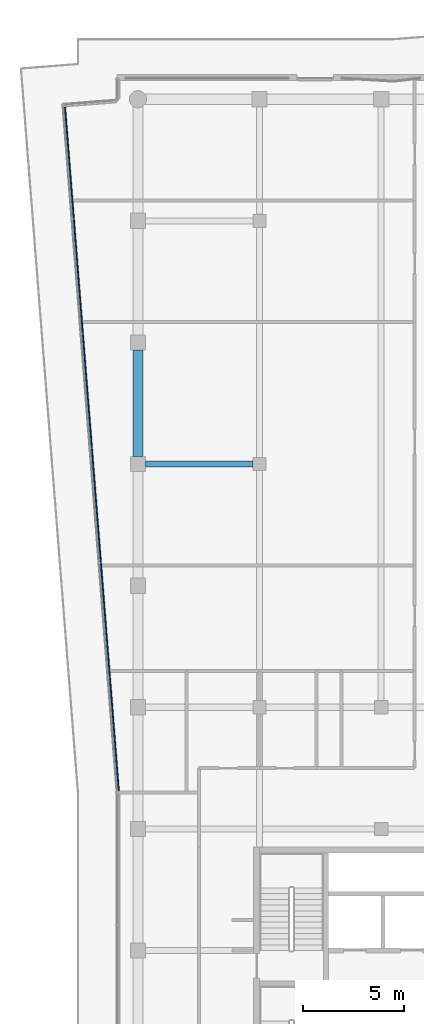
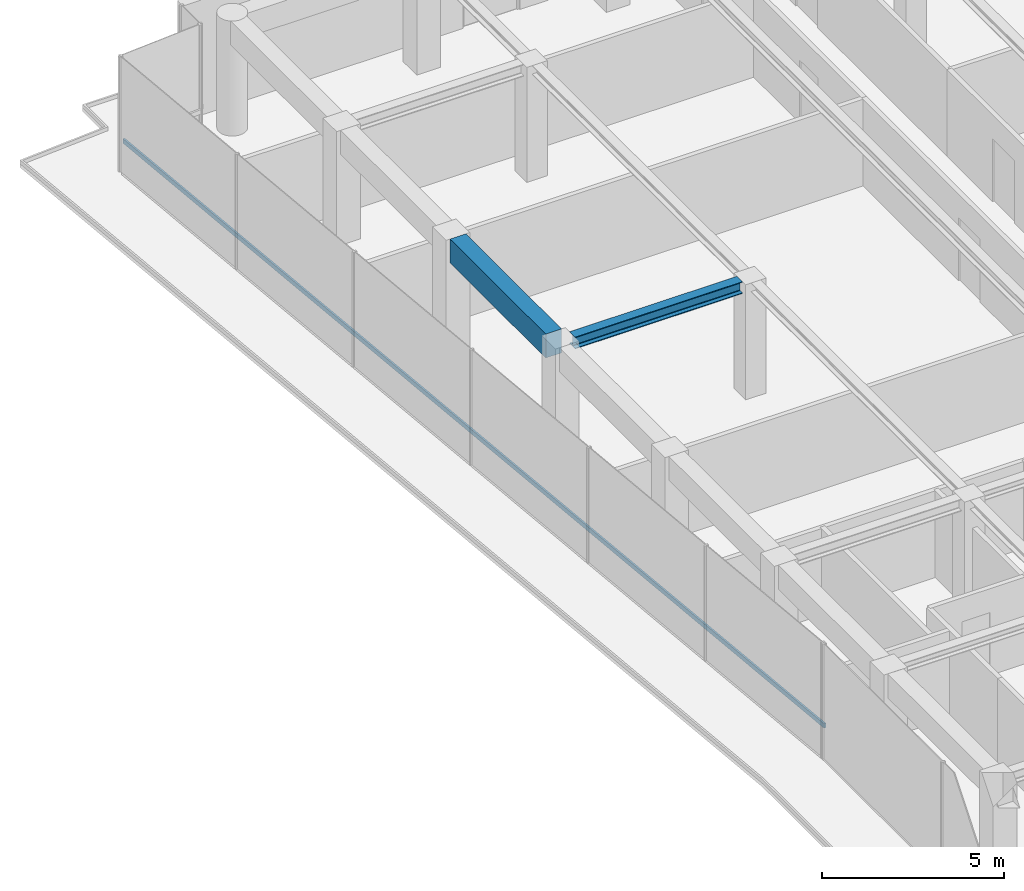
# One storey, part 10 of 23: 2 beams, 1 member, 1 element without a shape of its own.
"""IFC4 building model written with IfcOpenShell, lengths in metres."""

import ifcopenshell
import ifcopenshell.guid

model = None  # the IFC model being written
_history = None  # IfcOwnerHistory: only IFC2X3 demands one
_inside = {}  # id of a spatial element -> (the spatial element, [elements in it])
_under = {}  # id of a project, library or spatial element -> (it, [spatial elements below it])
_declared = {}  # id of a project -> (the project, [libraries it declares])
_typed = {}  # id of a type object -> (the type object, [elements of that type])
_made_of = {}  # id of a material, layer set ... -> (it, [elements and type objects made of it])


def new_model(schema):
    """Start an empty IFC model of exactly this schema.

    Asked for "IFC4X3", IfcOpenShell would pick the latest addendum, in which some entities
    have other attributes; the version numbers below select the first issue.
    IFC2X3 requires an IfcOwnerHistory on every rooted entity: one is made here for all.
    """
    global model, _history
    if schema == "IFC4X3":
        model = ifcopenshell.file(schema_version=(4, 3, 0, 0))
    else:
        model = ifcopenshell.file(schema=schema)
    _inside.clear()
    _under.clear()
    _declared.clear()
    _typed.clear()
    _made_of.clear()
    _history = None
    if model.schema == "IFC2X3":
        org = make("IfcOrganization", Name="unknown")
        user = make(
            "IfcPersonAndOrganization",
            ThePerson=make("IfcPerson", FamilyName="unknown"),
            TheOrganization=org,
        )
        app = make(
            "IfcApplication",
            ApplicationDeveloper=org,
            Version="unknown",
            ApplicationFullName="unknown",
            ApplicationIdentifier="unknown",
        )
        _history = make(
            "IfcOwnerHistory",
            OwningUser=user,
            OwningApplication=app,
            ChangeAction="ADDED",
            CreationDate=0,
        )
    return model


def make(cls, **values):
    """One entity of the class cls with the attributes given. An attribute that is None is left unset."""
    return model.create_entity(
        cls, **{name: value for name, value in values.items() if value is not None}
    )


def rooted(cls, **values):
    """An entity with a GlobalId (a new one), such as an element, a storey or a relation."""
    return make(cls, GlobalId=ifcopenshell.guid.new(), OwnerHistory=_history, **values)


def si_unit(unit_type, name, prefix=None):
    """IfcSIUnit, for example si_unit("LENGTHUNIT", "METRE", prefix="MILLI")."""
    return make("IfcSIUnit", UnitType=unit_type, Prefix=prefix, Name=name)


def assignment(units):
    """IfcUnitAssignment: the units of a project."""
    return None if units is None else make("IfcUnitAssignment", Units=units)


def point(xyz):
    """IfcCartesianPoint."""
    return None if xyz is None else make("IfcCartesianPoint", Coordinates=xyz)


def direction(xyz):
    """IfcDirection."""
    return None if xyz is None else make("IfcDirection", DirectionRatios=xyz)


def frame(location, z_axis=None, x_axis=None):
    """IfcAxis2Placement3D, a coordinate frame: its origin and axes. An axis left out is left unset."""
    return make(
        "IfcAxis2Placement3D",
        Location=point(location),
        Axis=direction(z_axis),
        RefDirection=direction(x_axis),
    )


def frame_2d(location, x_axis=None):
    """IfcAxis2Placement2D, a coordinate frame in the plane: its origin and x axis."""
    return make(
        "IfcAxis2Placement2D", Location=point(location), RefDirection=direction(x_axis)
    )


def origin():
    """The frame at (0, 0, 0) with its axes left unset."""
    return frame((0.0, 0.0, 0.0))


def origin_2d():
    """The frame at (0, 0) in the plane with its x axis left unset."""
    return frame_2d((0.0, 0.0))


def place(relative_to, where):
    """IfcLocalPlacement: puts the frame where relative to a parent placement (None: the world)."""
    return make(
        "IfcLocalPlacement", PlacementRelTo=relative_to, RelativePlacement=where
    )


def context(
    kind, dimensions, precision=None, world=None, true_north=None, identifier=None
):
    """IfcGeometricRepresentationContext, for example the 3D "Model" context."""
    return make(
        "IfcGeometricRepresentationContext",
        ContextIdentifier=identifier,
        ContextType=kind,
        CoordinateSpaceDimension=dimensions,
        Precision=precision,
        WorldCoordinateSystem=world,
        TrueNorth=true_north,
    )


def subcontext(parent, identifier, kind, view, scale=None):
    """IfcGeometricRepresentationSubContext, for example "Body" below "Model"."""
    return make(
        "IfcGeometricRepresentationSubContext",
        ContextIdentifier=identifier,
        ContextType=kind,
        ParentContext=parent,
        TargetScale=scale,
        TargetView=view,
    )


def project(units=None, contexts=None):
    """IfcProject with its units and contexts."""
    return rooted(
        "IfcProject",
        Name="project",
        RepresentationContexts=contexts,
        UnitsInContext=assignment(units),
    )


def spatial(cls, under=None, at=None, **own):
    """A site, building, storey or space (cls), placed at a placement, below another one or the project."""
    s = rooted(cls, ObjectPlacement=at, **own)
    if under is not None:
        _under.setdefault(under.id(), (under, []))[1].append(s)
    return s


def profile(cls, at=None, kind="AREA", **sizes):
    """A parametric profile (cls). Its sizes go by their IFC names, for example OverallWidth=200.0."""
    return make(cls, ProfileType=kind, Position=at, **sizes)


def rectangle(**sizes):
    """IfcRectangleProfileDef."""
    return profile("IfcRectangleProfileDef", **sizes)


def i_section(**sizes):
    """IfcIShapeProfileDef."""
    return profile("IfcIShapeProfileDef", **sizes)


def extrude(swept, where, along, depth):
    """IfcExtrudedAreaSolid: the profile swept, set in the frame where, extruded along a direction by depth."""
    return make(
        "IfcExtrudedAreaSolid",
        SweptArea=swept,
        Position=where,
        ExtrudedDirection=direction(along),
        Depth=depth,
    )


def shape(context_of_items, identifier, shape_type, items):
    """IfcShapeRepresentation: the items that make up one representation, for example the "Body"."""
    return make(
        "IfcShapeRepresentation",
        ContextOfItems=context_of_items,
        RepresentationIdentifier=identifier,
        RepresentationType=shape_type,
        Items=items,
    )


def material(Name=None, Category=None):
    """IfcMaterial."""
    return make("IfcMaterial", Name=Name, Category=Category)


def layer(
    of_material, thickness, ventilated=None, Name=None, Category=None, Priority=None
):
    """IfcMaterialLayer: one layer of a wall or slab, of a material (None: an air gap)."""
    return make(
        "IfcMaterialLayer",
        Material=of_material,
        LayerThickness=thickness,
        IsVentilated=ventilated,
        Name=Name,
        Category=Category,
        Priority=Priority,
    )


def layer_set(layers, Name=None):
    """IfcMaterialLayerSet."""
    return make("IfcMaterialLayerSet", MaterialLayers=layers, LayerSetName=Name)


def material_profile(
    of_material, cross_section, Name=None, Category=None, Priority=None
):
    """IfcMaterialProfile: a cross section and its material."""
    return make(
        "IfcMaterialProfile",
        Name=Name,
        Material=of_material,
        Profile=cross_section,
        Priority=Priority,
        Category=Category,
    )


def profile_set(profiles, Name=None, composite=None):
    """IfcMaterialProfileSet."""
    return make(
        "IfcMaterialProfileSet",
        Name=Name,
        MaterialProfiles=profiles,
        CompositeProfile=composite,
    )


def made_of(thing, what):
    """Note that an element or type object is made of a material, layer set ...; save() writes the relation."""
    if what is not None:
        _made_of.setdefault(what.id(), (what, []))[1].append(thing)
    return thing


def type_object(cls, material=None, **own):
    """A type object (cls), such as IfcWallType, which elements share."""
    return made_of(rooted(cls, **own), material)


def element(
    cls,
    number,
    at=None,
    inside=None,
    cuts=None,
    type_object=None,
    material=None,
    context=None,
    identifier="Body",
    shape_type=None,
    held_by="IfcProductDefinitionShape",
    body=None,
    shapes=None,
    **own,
):
    """One element of the class cls, such as IfcWall. Its Tag is "e" and its number.

    at: its placement. inside: the storey or other place that contains it. cuts: it is an
    opening in that element (IfcRelVoidsElement). A single representation is given by context,
    identifier, shape_type and body (its items); several are given by shapes. held_by: the class
    of the entity that holds the representations. save() writes the other relations.
    """
    e = rooted(cls, Tag="e%d" % number, ObjectPlacement=at, **own)
    if body is not None:
        shapes = [shape(context, identifier, shape_type, body)]
    if shapes is not None:
        e.Representation = make(held_by, Representations=shapes)
    if inside is not None:
        _inside.setdefault(inside.id(), (inside, []))[1].append(e)
    if cuts is not None:
        rooted(
            "IfcRelVoidsElement", RelatingBuildingElement=cuts, RelatedOpeningElement=e
        )
    if type_object is not None:
        _typed.setdefault(type_object.id(), (type_object, []))[1].append(e)
    return made_of(e, material)


def aggregate(whole, parts):
    """IfcRelAggregates: a whole, such as a stair, and the parts it consists of."""
    return rooted("IfcRelAggregates", RelatingObject=whole, RelatedObjects=parts)


def save(model, path):
    """Write the relations noted so far, then the file.

    IfcRelAggregates (storeys below a building ...), IfcRelContainedInSpatialStructure (elements
    in a storey), IfcRelDefinesByType, IfcRelAssociatesMaterial and IfcRelDeclares: one each for
    every whole, place, type object, material and project.
    """
    for whole, parts in _under.values():
        aggregate(whole, parts)
    for where, things in _inside.values():
        rooted(
            "IfcRelContainedInSpatialStructure",
            RelatedElements=things,
            RelatingStructure=where,
        )
    for kind, things in _typed.values():
        rooted("IfcRelDefinesByType", RelatedObjects=things, RelatingType=kind)
    for what, things in _made_of.values():
        rooted("IfcRelAssociatesMaterial", RelatedObjects=things, RelatingMaterial=what)
    for by, libraries in _declared.values():
        rooted("IfcRelDeclares", RelatingContext=by, RelatedDefinitions=libraries)
    model.write(path)


model = new_model("IFC4")

# Units and contexts
model_context = context("Model", 3, precision=1e-05, world=origin(), true_north=direction((0.0, 1.0)))
body_context = subcontext(model_context, "Body", "Model", "MODEL_VIEW")
ifc_project = project(units=[si_unit("LENGTHUNIT", "METRE"), si_unit("AREAUNIT", "SQUARE_METRE"), si_unit("VOLUMEUNIT", "CUBIC_METRE"), si_unit("PLANEANGLEUNIT", "RADIAN"), si_unit("MASSUNIT", "GRAM", prefix="KILO")], contexts=[model_context])

# Site, building, storey
site_placement = place(None, origin())
site = spatial("IfcSite", under=ifc_project, at=site_placement, CompositionType="ELEMENT")
building_placement = place(site_placement, origin())
building = spatial("IfcBuilding", under=site, at=building_placement, Name="Welwitschia Terrace Campus", CompositionType="ELEMENT")
storey_placement = place(building_placement, frame((0.0, 0.0, 306.199951171875)))
storey = spatial("IfcBuildingStorey", under=building, at=storey_placement, Name="L68", CompositionType="ELEMENT", Elevation=306.199951171875)

# Beams
ifc_material_1 = material(Name="Steel S355", Category="steel")
ifc_material_profile_1 = material_profile(ifc_material_1, i_section(OverallWidth=0.300048828125, OverallDepth=0.39990234375, WebThickness=0.013427734375, FlangeThickness=0.02392578125, FilletRadius=0.027099609375, at=origin_2d()))
ifc_profile_set_1 = profile_set([ifc_material_profile_1], Name="Steel S355")
beam_type_1 = type_object("IfcBeamType", Name="Primary beam HE 400 B", PredefinedType="BEAM", material=ifc_profile_set_1)
beam_1_placement = place(storey_placement, frame((0.37548828125, 44.0, 3.650146484375), z_axis=(1.0, 0.0, 0.0), x_axis=(0.0, 1.0, 0.0)))
element("IfcBeam", 1, at=beam_1_placement, inside=storey, type_object=beam_type_1, Name="Primary beam PB6", PredefinedType="BEAM", context=body_context, shape_type="SweptSolid", body=[
    extrude(i_section(OverallWidth=0.300048828125, OverallDepth=0.39990234375, WebThickness=0.013427734375, FlangeThickness=0.02392578125, FilletRadius=0.027099609375, at=origin_2d()), origin(), (0.0, 0.0, 1.0), 5.299072265625),
])
ifc_material_2 = material(Name="Concrete C50/60", Category="concrete")
ifc_material_profile_2 = material_profile(ifc_material_2, rectangle(XDim=0.5, YDim=0.800048828125, at=origin_2d()))
ifc_profile_set_2 = profile_set([ifc_material_profile_2], Name="Concrete C50/60")
beam_type_2 = type_object("IfcBeamType", Name="Ring spandrel 500x800", PredefinedType="SPANDREL", material=ifc_profile_set_2)
beam_2_placement = place(storey_placement, frame((0.0, 49.62451171875, 3.449951171875), z_axis=(0.0, -1.0, 0.0), x_axis=(1.0, 0.0, 0.0)))
element("IfcBeam", 2, at=beam_2_placement, inside=storey, type_object=beam_type_2, Name="Spandrel SP4", PredefinedType="SPANDREL", context=body_context, shape_type="SweptSolid", body=[
    extrude(rectangle(XDim=0.5, YDim=0.800048828125, at=origin_2d()), origin(), (0.0, 0.0, 1.0), 5.2490234375),
])

# Curtain wall, member
ifc_material_3 = material(Name="Bronze anodised aluminium", Category="aluminium")
ifc_layer = layer(ifc_material_3, 0.1201171875)
ifc_layer_set = layer_set([ifc_layer], Name="Bronze anodised aluminium")
curtain_wall_type = type_object("IfcCurtainWallType", Name="Curtain wall CW2 tower 6000", PredefinedType="NOTDEFINED", material=ifc_layer_set)
curtain_wall_placement = place(storey_placement, origin())
curtain_wall = element("IfcCurtainWall", 3, at=curtain_wall_placement, inside=storey, type_object=curtain_wall_type, Name="CW L68.11.0", PredefinedType="NOTDEFINED")
ifc_material_4 = material(Name="Bronze anodised aluminium", Category="aluminium")
ifc_material_profile_3 = material_profile(ifc_material_4, rectangle(XDim=0.06005859375, YDim=0.14990234375, at=origin_2d()))
ifc_profile_set_3 = profile_set([ifc_material_profile_3], Name="Bronze anodised aluminium")
member_type = type_object("IfcMemberType", Name="Transom 60x150", PredefinedType="USERDEFINED", material=ifc_profile_set_3)
member_placement = place(storey_placement, frame((-3.607177734375, 61.693359375, 1.0), z_axis=(0.078453162182, -0.996917800696, 0.0), x_axis=(0.996917800696, 0.078453162182, 0.0)))
member = element("IfcMember", 4, at=member_placement, type_object=member_type, Name="Transom L68.11.0", ObjectType="TRANSOM", PredefinedType="USERDEFINED", context=body_context, shape_type="SweptSolid", body=[
    extrude(rectangle(XDim=0.06005859375, YDim=0.14990234375, at=origin_2d()), origin(), (0.0, 0.0, 1.0), 33.932373046875),
])
aggregate(curtain_wall, [member])

save(model, "model.ifc")
